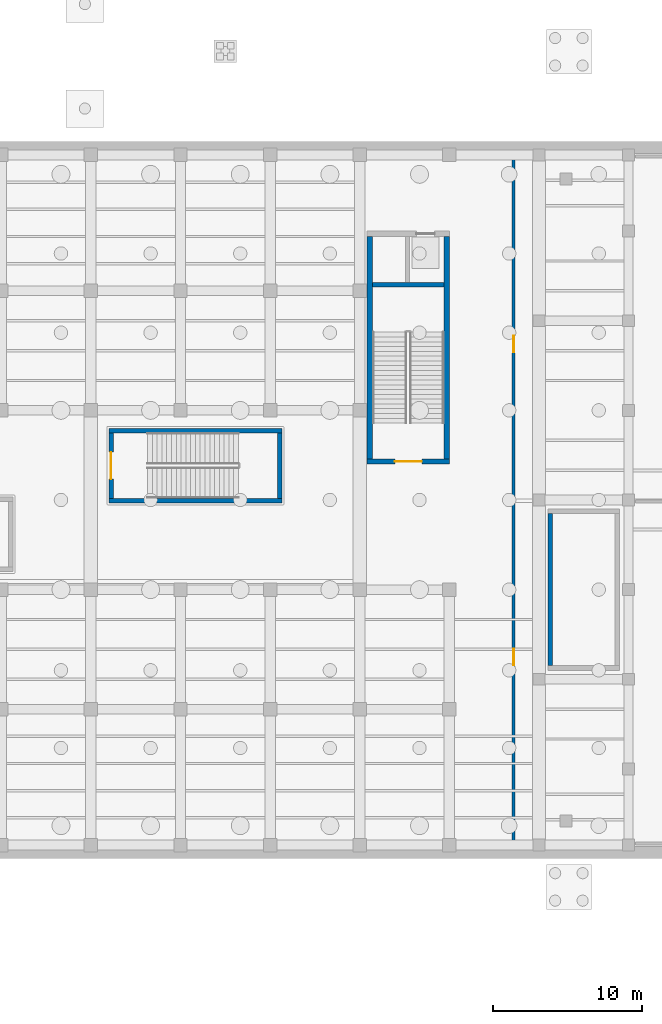
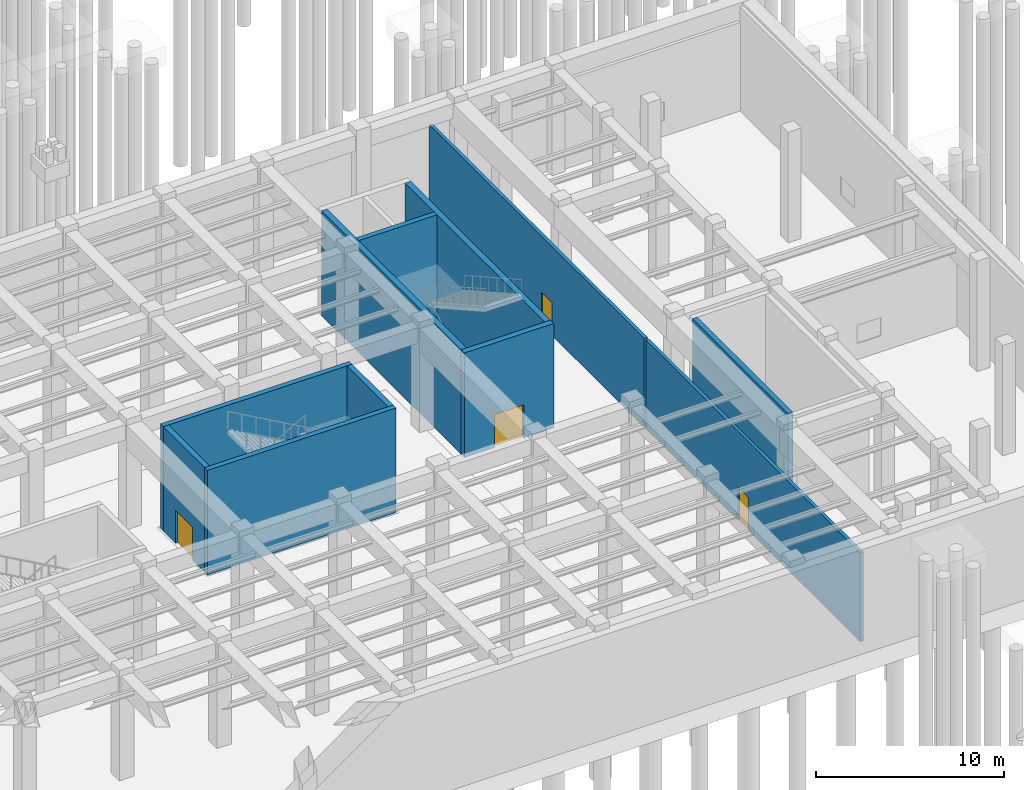
# One storey, part 16 of 30: 11 walls, 4 doors, 4 openings.
"""IFC4 building model written with IfcOpenShell, lengths in metres."""

import ifcopenshell
import ifcopenshell.guid

model = None  # the IFC model being written
_history = None  # IfcOwnerHistory: only IFC2X3 demands one
_inside = {}  # id of a spatial element -> (the spatial element, [elements in it])
_under = {}  # id of a project, library or spatial element -> (it, [spatial elements below it])
_declared = {}  # id of a project -> (the project, [libraries it declares])
_typed = {}  # id of a type object -> (the type object, [elements of that type])
_made_of = {}  # id of a material, layer set ... -> (it, [elements and type objects made of it])


def new_model(schema):
    """Start an empty IFC model of exactly this schema.

    Asked for "IFC4X3", IfcOpenShell would pick the latest addendum, in which some entities
    have other attributes; the version numbers below select the first issue.
    IFC2X3 requires an IfcOwnerHistory on every rooted entity: one is made here for all.
    """
    global model, _history
    if schema == "IFC4X3":
        model = ifcopenshell.file(schema_version=(4, 3, 0, 0))
    else:
        model = ifcopenshell.file(schema=schema)
    _inside.clear()
    _under.clear()
    _declared.clear()
    _typed.clear()
    _made_of.clear()
    _history = None
    if model.schema == "IFC2X3":
        org = make("IfcOrganization", Name="unknown")
        user = make(
            "IfcPersonAndOrganization",
            ThePerson=make("IfcPerson", FamilyName="unknown"),
            TheOrganization=org,
        )
        app = make(
            "IfcApplication",
            ApplicationDeveloper=org,
            Version="unknown",
            ApplicationFullName="unknown",
            ApplicationIdentifier="unknown",
        )
        _history = make(
            "IfcOwnerHistory",
            OwningUser=user,
            OwningApplication=app,
            ChangeAction="ADDED",
            CreationDate=0,
        )
    return model


def make(cls, **values):
    """One entity of the class cls with the attributes given. An attribute that is None is left unset."""
    return model.create_entity(
        cls, **{name: value for name, value in values.items() if value is not None}
    )


def rooted(cls, **values):
    """An entity with a GlobalId (a new one), such as an element, a storey or a relation."""
    return make(cls, GlobalId=ifcopenshell.guid.new(), OwnerHistory=_history, **values)


def si_unit(unit_type, name, prefix=None):
    """IfcSIUnit, for example si_unit("LENGTHUNIT", "METRE", prefix="MILLI")."""
    return make("IfcSIUnit", UnitType=unit_type, Prefix=prefix, Name=name)


def assignment(units):
    """IfcUnitAssignment: the units of a project."""
    return None if units is None else make("IfcUnitAssignment", Units=units)


def point(xyz):
    """IfcCartesianPoint."""
    return None if xyz is None else make("IfcCartesianPoint", Coordinates=xyz)


def direction(xyz):
    """IfcDirection."""
    return None if xyz is None else make("IfcDirection", DirectionRatios=xyz)


def frame(location, z_axis=None, x_axis=None):
    """IfcAxis2Placement3D, a coordinate frame: its origin and axes. An axis left out is left unset."""
    return make(
        "IfcAxis2Placement3D",
        Location=point(location),
        Axis=direction(z_axis),
        RefDirection=direction(x_axis),
    )


def frame_2d(location, x_axis=None):
    """IfcAxis2Placement2D, a coordinate frame in the plane: its origin and x axis."""
    return make(
        "IfcAxis2Placement2D", Location=point(location), RefDirection=direction(x_axis)
    )


def origin():
    """The frame at (0, 0, 0) with its axes left unset."""
    return frame((0.0, 0.0, 0.0))


def place(relative_to, where):
    """IfcLocalPlacement: puts the frame where relative to a parent placement (None: the world)."""
    return make(
        "IfcLocalPlacement", PlacementRelTo=relative_to, RelativePlacement=where
    )


def context(
    kind, dimensions, precision=None, world=None, true_north=None, identifier=None
):
    """IfcGeometricRepresentationContext, for example the 3D "Model" context."""
    return make(
        "IfcGeometricRepresentationContext",
        ContextIdentifier=identifier,
        ContextType=kind,
        CoordinateSpaceDimension=dimensions,
        Precision=precision,
        WorldCoordinateSystem=world,
        TrueNorth=true_north,
    )


def subcontext(parent, identifier, kind, view, scale=None):
    """IfcGeometricRepresentationSubContext, for example "Body" below "Model"."""
    return make(
        "IfcGeometricRepresentationSubContext",
        ContextIdentifier=identifier,
        ContextType=kind,
        ParentContext=parent,
        TargetScale=scale,
        TargetView=view,
    )


def project(units=None, contexts=None):
    """IfcProject with its units and contexts."""
    return rooted(
        "IfcProject",
        Name="project",
        RepresentationContexts=contexts,
        UnitsInContext=assignment(units),
    )


def spatial(cls, under=None, at=None, **own):
    """A site, building, storey or space (cls), placed at a placement, below another one or the project."""
    s = rooted(cls, ObjectPlacement=at, **own)
    if under is not None:
        _under.setdefault(under.id(), (under, []))[1].append(s)
    return s


def profile(cls, at=None, kind="AREA", **sizes):
    """A parametric profile (cls). Its sizes go by their IFC names, for example OverallWidth=200.0."""
    return make(cls, ProfileType=kind, Position=at, **sizes)


def rectangle(**sizes):
    """IfcRectangleProfileDef."""
    return profile("IfcRectangleProfileDef", **sizes)


def extrude(swept, where, along, depth):
    """IfcExtrudedAreaSolid: the profile swept, set in the frame where, extruded along a direction by depth."""
    return make(
        "IfcExtrudedAreaSolid",
        SweptArea=swept,
        Position=where,
        ExtrudedDirection=direction(along),
        Depth=depth,
    )


def shape(context_of_items, identifier, shape_type, items):
    """IfcShapeRepresentation: the items that make up one representation, for example the "Body"."""
    return make(
        "IfcShapeRepresentation",
        ContextOfItems=context_of_items,
        RepresentationIdentifier=identifier,
        RepresentationType=shape_type,
        Items=items,
    )


def material(Name=None, Category=None):
    """IfcMaterial."""
    return make("IfcMaterial", Name=Name, Category=Category)


def layer(
    of_material, thickness, ventilated=None, Name=None, Category=None, Priority=None
):
    """IfcMaterialLayer: one layer of a wall or slab, of a material (None: an air gap)."""
    return make(
        "IfcMaterialLayer",
        Material=of_material,
        LayerThickness=thickness,
        IsVentilated=ventilated,
        Name=Name,
        Category=Category,
        Priority=Priority,
    )


def layer_set(layers, Name=None):
    """IfcMaterialLayerSet."""
    return make("IfcMaterialLayerSet", MaterialLayers=layers, LayerSetName=Name)


def made_of(thing, what):
    """Note that an element or type object is made of a material, layer set ...; save() writes the relation."""
    if what is not None:
        _made_of.setdefault(what.id(), (what, []))[1].append(thing)
    return thing


def type_object(cls, material=None, **own):
    """A type object (cls), such as IfcWallType, which elements share."""
    return made_of(rooted(cls, **own), material)


def element(
    cls,
    number,
    at=None,
    inside=None,
    cuts=None,
    type_object=None,
    material=None,
    context=None,
    identifier="Body",
    shape_type=None,
    held_by="IfcProductDefinitionShape",
    body=None,
    shapes=None,
    **own,
):
    """One element of the class cls, such as IfcWall. Its Tag is "e" and its number.

    at: its placement. inside: the storey or other place that contains it. cuts: it is an
    opening in that element (IfcRelVoidsElement). A single representation is given by context,
    identifier, shape_type and body (its items); several are given by shapes. held_by: the class
    of the entity that holds the representations. save() writes the other relations.
    """
    e = rooted(cls, Tag="e%d" % number, ObjectPlacement=at, **own)
    if body is not None:
        shapes = [shape(context, identifier, shape_type, body)]
    if shapes is not None:
        e.Representation = make(held_by, Representations=shapes)
    if inside is not None:
        _inside.setdefault(inside.id(), (inside, []))[1].append(e)
    if cuts is not None:
        rooted(
            "IfcRelVoidsElement", RelatingBuildingElement=cuts, RelatedOpeningElement=e
        )
    if type_object is not None:
        _typed.setdefault(type_object.id(), (type_object, []))[1].append(e)
    return made_of(e, material)


def fill(opening, filler):
    """IfcRelFillsElement: the door or window that sits in an opening."""
    return rooted(
        "IfcRelFillsElement",
        RelatingOpeningElement=opening,
        RelatedBuildingElement=filler,
    )


def aggregate(whole, parts):
    """IfcRelAggregates: a whole, such as a stair, and the parts it consists of."""
    return rooted("IfcRelAggregates", RelatingObject=whole, RelatedObjects=parts)


def save(model, path):
    """Write the relations noted so far, then the file.

    IfcRelAggregates (storeys below a building ...), IfcRelContainedInSpatialStructure (elements
    in a storey), IfcRelDefinesByType, IfcRelAssociatesMaterial and IfcRelDeclares: one each for
    every whole, place, type object, material and project.
    """
    for whole, parts in _under.values():
        aggregate(whole, parts)
    for where, things in _inside.values():
        rooted(
            "IfcRelContainedInSpatialStructure",
            RelatedElements=things,
            RelatingStructure=where,
        )
    for kind, things in _typed.values():
        rooted("IfcRelDefinesByType", RelatedObjects=things, RelatingType=kind)
    for what, things in _made_of.values():
        rooted("IfcRelAssociatesMaterial", RelatedObjects=things, RelatingMaterial=what)
    for by, libraries in _declared.values():
        rooted("IfcRelDeclares", RelatingContext=by, RelatedDefinitions=libraries)
    model.write(path)


model = new_model("IFC4")

# Units and contexts
model_context = context("Model", 3, precision=1e-05, world=origin(), true_north=direction((0.0, 1.0)))
body_context = subcontext(model_context, "Body", "Model", "MODEL_VIEW")
ifc_project = project(units=[si_unit("LENGTHUNIT", "METRE"), si_unit("AREAUNIT", "SQUARE_METRE"), si_unit("VOLUMEUNIT", "CUBIC_METRE"), si_unit("PLANEANGLEUNIT", "RADIAN"), si_unit("MASSUNIT", "GRAM", prefix="KILO")], contexts=[model_context])

# Site, building, storey
site_placement = place(None, origin())
site = spatial("IfcSite", under=ifc_project, at=site_placement, CompositionType="ELEMENT")
building_placement = place(site_placement, origin())
building = spatial("IfcBuilding", under=site, at=building_placement, Name="Kolvaren Corner Interchange", CompositionType="ELEMENT")
storey_placement = place(building_placement, frame((0.0, 0.0, -7.199951171875)))
storey = spatial("IfcBuildingStorey", under=building, at=storey_placement, Name="B1", CompositionType="ELEMENT", Elevation=-7.199951171875)

# Wall, opening, door
ifc_material_1 = material(Name="Concrete C35/45", Category="concrete")
ifc_layer_1 = layer(ifc_material_1, 0.35009765625)
ifc_layer_set_1 = layer_set([ifc_layer_1], Name="Concrete C35/45")
wall_type_1 = type_object("IfcWallType", Name="WL-CORE-350", PredefinedType="SHEAR", material=ifc_layer_set_1)
wall_1_placement = place(storey_placement, frame((114.5, 50.574951171875, 0.0), z_axis=(0.0, 0.0, 1.0), x_axis=(1.0, 0.0, 0.0)))
wall_1 = element("IfcWall", 1, at=wall_1_placement, inside=storey, type_object=wall_type_1, Name="Core C4 B1 South Shear Wall", PredefinedType="SHEAR", context=body_context, shape_type="SweptSolid", body=[
    extrude(rectangle(XDim=5.5, YDim=0.35009765625, at=frame_2d((2.75, 0.0))), origin(), (0.0, 0.0, 1.0), 6.800048828125),
])
opening_1_placement = place(wall_1_placement, frame((1.85009765625, 0.0, 0.0)))
opening_1 = element("IfcOpeningElement", 2, at=opening_1_placement, cuts=wall_1, Name="Opening D-F01", PredefinedType="OPENING", context=body_context, shape_type="SweptSolid", body=[
    extrude(rectangle(XDim=1.800048828125, YDim=2.14990234375, at=frame_2d((0.89990234375, 1.074951171875))), frame((0.0, 0.18505859375, 0.0), z_axis=(0.0, -1.0, 0.0), x_axis=(1.0, 0.0, 0.0)), (0.0, 0.0, 1.0), 0.3701171875),
])
ifc_material_2 = material(Name="Powder-coated Fire-rated Steel Sheet", Category="steel")
door_type_1 = type_object("IfcDoorType", Name="DT-FD-1800x2150", OperationType="NOTDEFINED", PredefinedType="DOOR", material=ifc_material_2)
door_1_placement = place(opening_1_placement, origin())
door_1 = element("IfcDoor", 3, at=door_1_placement, inside=storey, type_object=door_type_1, Name="Core C4 East Concourse Transfer Stair B1 Protected Exit Door", OperationType="DOUBLE_DOOR_SINGLE_SWING", OverallHeight=2.14990234375, OverallWidth=1.800048828125, PredefinedType="DOOR", context=body_context, shape_type="SweptSolid", body=[
    extrude(rectangle(XDim=1.800048828125, YDim=2.14990234375, at=frame_2d((0.89990234375, 1.074951171875))), frame((0.0, 0.02490234375, 0.0), z_axis=(0.0, -1.0, 0.0), x_axis=(1.0, 0.0, 0.0)), (0.0, 0.0, 1.0), 0.050048828125),
])
fill(opening_1, door_1)

# Walls
for number, where, z_axis, x_axis, name in (
    (4, (114.675048828125, 50.75, 0.0), (0.0, 0.0, 1.0), (0.0, 1.0, 0.0), "Core C4 B1 West Shear Wall"),
    (5, (119.824951171875, 50.75, 0.0), (0.0, 0.0, 1.0), (0.0, 1.0, 0.0), "Core C4 B1 East Shear Wall"),
):
    element("IfcWall", number, at=place(storey_placement, frame(where, z_axis=z_axis, x_axis=x_axis)), inside=storey, type_object=wall_type_1, Name=name, PredefinedType="SHEAR", context=body_context, shape_type="SweptSolid", body=[
        extrude(rectangle(XDim=14.89990234375, YDim=0.35009765625, at=frame_2d((7.449951171875, 0.0))), origin(), (0.0, 0.0, 1.0), 6.800048828125),
    ])
ifc_material_3 = material(Name="Concrete C35/45", Category="concrete")
ifc_layer_2 = layer(ifc_material_3, 0.31005859375)
ifc_layer_set_2 = layer_set([ifc_layer_2], Name="Concrete C35/45")
wall_type_2 = type_object("IfcWallType", Name="WL-STAIR-300", PredefinedType="SHEAR", material=ifc_layer_set_2)
wall_2_placement = place(storey_placement, frame((114.85009765625, 62.39990234375, 0.0), z_axis=(0.0, 0.0, 1.0), x_axis=(1.0, 0.0, 0.0)))
element("IfcWall", 6, at=wall_2_placement, inside=storey, type_object=wall_type_2, Name="Core C4 B1 Lift and Stairwell Divider Wall", PredefinedType="SHEAR", context=body_context, shape_type="SweptSolid", body=[
    extrude(rectangle(XDim=4.7998046875, YDim=0.31005859375, at=frame_2d((2.39990234375, 0.0))), origin(), (0.0, 0.0, 1.0), 6.800048828125),
])
for number, where, z_axis, x_axis, name in (
    (7, (97.199951171875, 47.955078125, 0.0), (0.0, 0.0, 1.0), (1.0, 0.0, 0.0), "Metro Island Platform East Transfer Stair B1 South Enclosure Wall"),
    (8, (97.199951171875, 52.64501953125, 0.0), (0.0, 0.0, 1.0), (1.0, 0.0, 0.0), "Metro Island Platform East Transfer Stair B1 North Enclosure Wall"),
):
    element("IfcWall", number, at=place(storey_placement, frame(where, z_axis=z_axis, x_axis=x_axis)), inside=storey, type_object=wall_type_2, Name=name, PredefinedType="SHEAR", context=body_context, shape_type="SweptSolid", body=[
        extrude(rectangle(XDim=11.60009765625, YDim=0.31005859375, at=frame_2d((5.800048828125, 0.0))), origin(), (0.0, 0.0, 1.0), 6.800048828125),
    ])

# Wall, opening, door
wall_3_placement = place(storey_placement, frame((97.35498046875, 48.110107421875, 0.0), z_axis=(0.0, 0.0, 1.0), x_axis=(0.0, 1.0, 0.0)))
wall_3 = element("IfcWall", 9, at=wall_3_placement, inside=storey, type_object=wall_type_2, Name="Metro Island Platform East Transfer Stair B1 West Enclosure Wall", PredefinedType="SHEAR", context=body_context, shape_type="SweptSolid", body=[
    extrude(rectangle(XDim=4.3798828125, YDim=0.31005859375, at=frame_2d((2.18994140625, 0.0))), origin(), (0.0, 0.0, 1.0), 6.800048828125),
])
opening_2_placement = place(wall_3_placement, frame((1.2900390625, 0.0, 0.0)))
opening_2 = element("IfcOpeningElement", 10, at=opening_2_placement, cuts=wall_3, Name="Opening D-F01", PredefinedType="OPENING", context=body_context, shape_type="SweptSolid", body=[
    extrude(rectangle(XDim=1.800048828125, YDim=2.14990234375, at=frame_2d((0.89990234375, 1.074951171875))), frame((0.0, 0.1650390625, 0.0), z_axis=(0.0, -1.0, 0.0), x_axis=(1.0, 0.0, 0.0)), (0.0, 0.0, 1.0), 0.330078125),
])
door_2_placement = place(opening_2_placement, origin())
door_2 = element("IfcDoor", 11, at=door_2_placement, inside=storey, type_object=door_type_1, Name="Metro Island Platform East Transfer Stair B1 Protected Exit Door", OperationType="DOUBLE_DOOR_SINGLE_SWING", OverallHeight=2.14990234375, OverallWidth=1.800048828125, PredefinedType="DOOR", context=body_context, shape_type="SweptSolid", body=[
    extrude(rectangle(XDim=1.800048828125, YDim=2.14990234375, at=frame_2d((0.89990234375, 1.074951171875))), frame((0.0, 0.02490234375, 0.0), z_axis=(0.0, -1.0, 0.0), x_axis=(1.0, 0.0, 0.0)), (0.0, 0.0, 1.0), 0.050048828125),
])
fill(opening_2, door_2)

# Walls
wall_4_placement = place(storey_placement, frame((108.64501953125, 48.110107421875, 0.0), z_axis=(0.0, 0.0, 1.0), x_axis=(0.0, 1.0, 0.0)))
element("IfcWall", 12, at=wall_4_placement, inside=storey, type_object=wall_type_2, Name="Metro Island Platform East Transfer Stair B1 East Enclosure Wall", PredefinedType="SHEAR", context=body_context, shape_type="SweptSolid", body=[
    extrude(rectangle(XDim=4.3798828125, YDim=0.31005859375, at=frame_2d((2.18994140625, 0.0))), origin(), (0.0, 0.0, 1.0), 6.800048828125),
])
wall_5_placement = place(storey_placement, frame((126.7548828125, 36.909912109375, 0.0), z_axis=(0.0, 0.0, 1.0), x_axis=(0.0, 1.0, 0.0)))
element("IfcWall", 13, at=wall_5_placement, inside=storey, type_object=wall_type_2, Name="East Racetrack Concourse Gallery Stair B1 Foundation Shaft West Wall", PredefinedType="SHEAR", context=body_context, shape_type="SweptSolid", body=[
    extrude(rectangle(XDim=10.18017578125, YDim=0.31005859375, at=frame_2d((5.090087890625, 0.0))), origin(), (0.0, 0.0, 1.0), 6.800048828125),
])

# Wall, opening, door
ifc_material_4 = material(Name="Fire-Rated Gypsum Block Partition")
ifc_layer_3 = layer(ifc_material_4, 0.199951171875)
ifc_layer_set_3 = layer_set([ifc_layer_3], Name="Fire-Rated Gypsum Block Partition")
wall_type_3 = type_object("IfcWallType", Name="WT-PART-FR200", PredefinedType="PARTITIONING", material=ifc_layer_set_3)
wall_6_placement = place(storey_placement, frame((124.300048828125, 47.85009765625, 0.0), z_axis=(0.0, 0.0, 1.0), x_axis=(0.0, -1.0, 0.0)))
wall_6 = element("IfcWall", 14, at=wall_6_placement, inside=storey, type_object=wall_type_3, Name="B1 Metro Chiller and Pump Plant Partition Wall 014", PredefinedType="PARTITIONING", context=body_context, shape_type="SweptSolid", body=[
    extrude(rectangle(XDim=22.800048828125, YDim=0.199951171875, at=frame_2d((11.39990234375, 0.0))), origin(), (0.0, 0.0, 1.0), 5.784912109375),
])
opening_3_placement = place(wall_6_placement, frame((9.800048828125, 0.0, 0.0)))
opening_3 = element("IfcOpeningElement", 15, at=opening_3_placement, cuts=wall_6, Name="Opening D-F03", PredefinedType="OPENING", context=body_context, shape_type="SweptSolid", body=[
    extrude(rectangle(XDim=1.10009765625, YDim=2.14990234375, at=frame_2d((0.550048828125, 1.074951171875))), frame((0.0, 0.10986328125, 0.0), z_axis=(0.0, -1.0, 0.0), x_axis=(1.0, 0.0, 0.0)), (0.0, 0.0, 1.0), 0.219970703125),
])
ifc_material_5 = material(Name="Powder-coated Fire-rated Steel Sheet", Category="steel")
door_type_2 = type_object("IfcDoorType", Name="DT-FD-1100x2150", OperationType="NOTDEFINED", PredefinedType="DOOR", material=ifc_material_5)
door_3_placement = place(opening_3_placement, origin())
door_3 = element("IfcDoor", 16, at=door_3_placement, inside=storey, type_object=door_type_2, Name="B1 Metro Chiller and Pump Plant Door", OperationType="SINGLE_SWING_RIGHT", OverallHeight=2.14990234375, OverallWidth=1.10009765625, PredefinedType="DOOR", context=body_context, shape_type="SweptSolid", body=[
    extrude(rectangle(XDim=1.10009765625, YDim=2.14990234375, at=frame_2d((0.550048828125, 1.074951171875))), frame((0.0, 0.02490234375, 0.0), z_axis=(0.0, -1.0, 0.0), x_axis=(1.0, 0.0, 0.0)), (0.0, 0.0, 1.0), 0.050048828125),
])
fill(opening_3, door_3)

wall_7_placement = place(storey_placement, frame((124.300048828125, 70.949951171875, 0.0), z_axis=(0.0, 0.0, 1.0), x_axis=(0.0, -1.0, 0.0)))
wall_7 = element("IfcWall", 17, at=wall_7_placement, inside=storey, type_object=wall_type_3, Name="B1 Tunnel Ventilation Plant Partition Wall 017", PredefinedType="PARTITIONING", context=body_context, shape_type="SweptSolid", body=[
    extrude(rectangle(XDim=22.89990234375, YDim=0.199951171875, at=frame_2d((11.449951171875, 0.0))), origin(), (0.0, 0.0, 1.0), 5.784912109375),
])
opening_4_placement = place(wall_7_placement, frame((11.949951171875, 0.0, 0.0)))
opening_4 = element("IfcOpeningElement", 18, at=opening_4_placement, cuts=wall_7, Name="Opening D-F03", PredefinedType="OPENING", context=body_context, shape_type="SweptSolid", body=[
    extrude(rectangle(XDim=1.10009765625, YDim=2.14990234375, at=frame_2d((0.550048828125, 1.074951171875))), frame((0.0, 0.10986328125, 0.0), z_axis=(0.0, -1.0, 0.0), x_axis=(1.0, 0.0, 0.0)), (0.0, 0.0, 1.0), 0.219970703125),
])
door_4_placement = place(opening_4_placement, origin())
door_4 = element("IfcDoor", 19, at=door_4_placement, inside=storey, type_object=door_type_2, Name="B1 Tunnel Ventilation Plant Door", OperationType="SINGLE_SWING_LEFT", OverallHeight=2.14990234375, OverallWidth=1.10009765625, PredefinedType="DOOR", context=body_context, shape_type="SweptSolid", body=[
    extrude(rectangle(XDim=1.10009765625, YDim=2.14990234375, at=frame_2d((0.550048828125, 1.074951171875))), frame((0.0, 0.02490234375, 0.0), z_axis=(0.0, -1.0, 0.0), x_axis=(1.0, 0.0, 0.0)), (0.0, 0.0, 1.0), 0.050048828125),
])
fill(opening_4, door_4)

save(model, "model.ifc")
